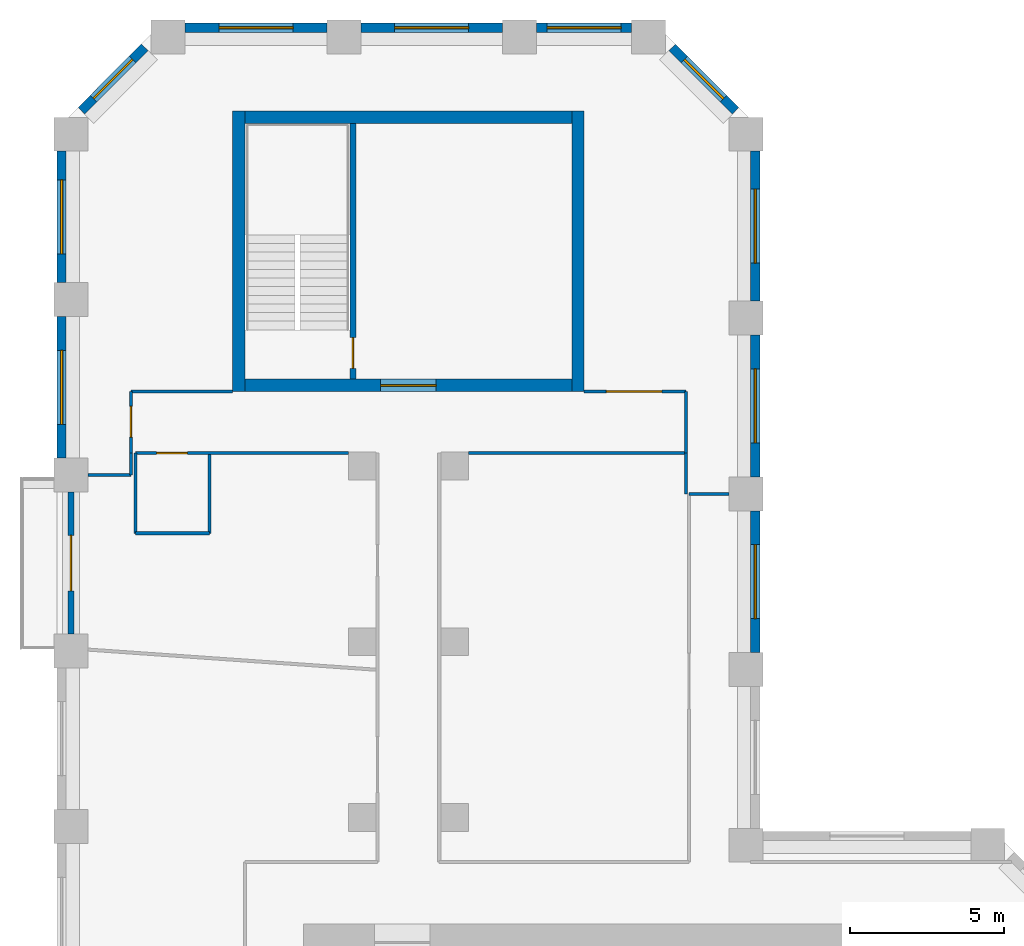
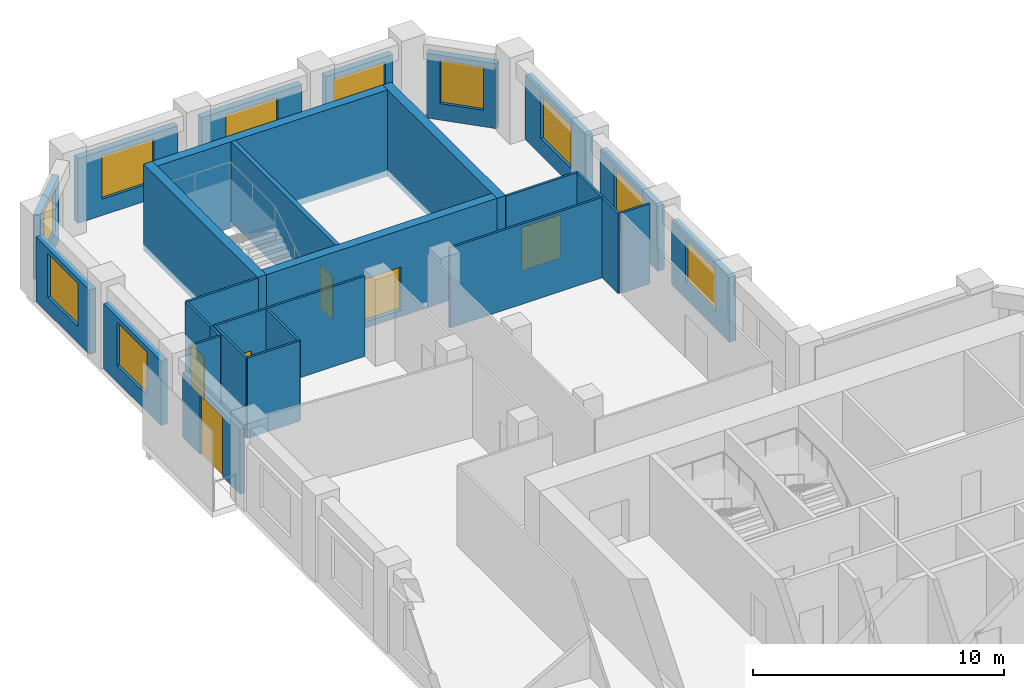
# One storey, part 8 of 10: 29 walls, 10 windows, 6 doors, 16 openings.
"""IFC4 building model written with IfcOpenShell, lengths in metres."""

from ifc_helpers import new_model, si_unit, direction, frame, frame_2d, origin, place, context, subcontext, project, spatial, rectangle, extrude, material, layer, layer_set, type_object, element, fill, save


model = new_model("IFC4")

# Units and contexts
model_context = context("Model", 3, precision=1e-05, world=origin(), true_north=direction((0.0, 1.0)))
body_context = subcontext(model_context, "Body", "Model", "MODEL_VIEW")
ifc_project = project(units=[si_unit("LENGTHUNIT", "METRE"), si_unit("AREAUNIT", "SQUARE_METRE"), si_unit("VOLUMEUNIT", "CUBIC_METRE"), si_unit("PLANEANGLEUNIT", "RADIAN"), si_unit("MASSUNIT", "GRAM", prefix="KILO")], contexts=[model_context])

# Site, building, storey
site_placement = place(None, origin())
site = spatial("IfcSite", under=ifc_project, at=site_placement, CompositionType="ELEMENT")
building_placement = place(site_placement, origin())
building = spatial("IfcBuilding", under=site, at=building_placement, Name="Meshkara Civic Tower", CompositionType="ELEMENT")
storey_placement = place(building_placement, frame((0.0, 0.0, 229.800048828125)))
storey = spatial("IfcBuildingStorey", under=building, at=storey_placement, Name="L52", CompositionType="ELEMENT", Elevation=229.800048828125)

# Wall, opening, door
ifc_material_1 = material(Name="Corridor wall 100")
ifc_layer_1 = layer(ifc_material_1, 0.10009765625)
ifc_layer_set_1 = layer_set([ifc_layer_1], Name="Corridor wall 100")
wall_type_1 = type_object("IfcWallType", Name="Corridor wall 100", PredefinedType="PARTITIONING", material=ifc_layer_set_1)
wall_1_placement = place(storey_placement, frame((2.39990234375, 54.169921875, 0.0), z_axis=(0.0, 0.0, 1.0), x_axis=(0.0, -1.0, 0.0)))
wall_1 = element("IfcWall", 1, at=wall_1_placement, inside=storey, type_object=wall_type_1, Name="L52-W001", PredefinedType="PARTITIONING", context=body_context, shape_type="SweptSolid", body=[
    extrude(rectangle(XDim=2.0, YDim=0.10009765625, at=frame_2d((1.0, 0.0))), origin(), (0.0, 0.0, 1.0), 3.89990234375),
])
opening_1_placement = place(wall_1_placement, frame((0.47998046875, 0.0, 0.0)))
opening_1 = element("IfcOpeningElement", 2, at=opening_1_placement, cuts=wall_1, Name="Opening L52-D016", PredefinedType="OPENING", context=body_context, shape_type="SweptSolid", body=[
    extrude(rectangle(XDim=1.0, YDim=2.10009765625, at=frame_2d((0.5, 1.050048828125))), frame((0.0, 0.06005859375, 0.0), z_axis=(0.0, -1.0, 0.0), x_axis=(1.0, 0.0, 0.0)), (0.0, 0.0, 1.0), 0.1201171875),
])
ifc_material_2 = material(Name="Door 1000 x 2100")
door_type_1 = type_object("IfcDoorType", Name="Door 1000 x 2100", OperationType="SINGLE_SWING_LEFT", PredefinedType="DOOR", material=ifc_material_2)
door_1_placement = place(opening_1_placement, origin())
door_1 = element("IfcDoor", 3, at=door_1_placement, inside=storey, type_object=door_type_1, Name="L52-D016", OperationType="SINGLE_SWING_RIGHT", OverallHeight=2.10009765625, OverallWidth=1.0, PredefinedType="DOOR", context=body_context, shape_type="SweptSolid", body=[
    extrude(rectangle(XDim=1.0, YDim=2.10009765625, at=frame_2d((0.5, 1.050048828125))), frame((0.0, 0.02490234375, 0.0), z_axis=(0.0, -1.0, 0.0), x_axis=(1.0, 0.0, 0.0)), (0.0, 0.0, 1.0), 0.050048828125),
])
fill(opening_1, door_1)

wall_2_placement = place(storey_placement, frame((2.550048828125, 52.169921875, 0.0), z_axis=(0.0, 0.0, 1.0), x_axis=(1.0, 0.0, 0.0)))
wall_2 = element("IfcWall", 4, at=wall_2_placement, inside=storey, type_object=wall_type_1, Name="L52-W002", PredefinedType="PARTITIONING", context=body_context, shape_type="SweptSolid", body=[
    extrude(rectangle(XDim=6.89990234375, YDim=0.10009765625, at=frame_2d((3.449951171875, 0.0))), origin(), (0.0, 0.0, 1.0), 3.89990234375),
])
opening_2_placement = place(wall_2_placement, frame((0.679931640625, 0.0, 0.0)))
opening_2 = element("IfcOpeningElement", 5, at=opening_2_placement, cuts=wall_2, Name="Opening L52-D017", PredefinedType="OPENING", context=body_context, shape_type="SweptSolid", body=[
    extrude(rectangle(XDim=1.0, YDim=2.10009765625, at=frame_2d((0.5, 1.050048828125))), frame((0.0, 0.06005859375, 0.0), z_axis=(0.0, -1.0, 0.0), x_axis=(1.0, 0.0, 0.0)), (0.0, 0.0, 1.0), 0.1201171875),
])
door_2_placement = place(opening_2_placement, origin())
door_2 = element("IfcDoor", 6, at=door_2_placement, inside=storey, type_object=door_type_1, Name="L52-D017", OperationType="SINGLE_SWING_RIGHT", OverallHeight=2.10009765625, OverallWidth=1.0, PredefinedType="DOOR", context=body_context, shape_type="SweptSolid", body=[
    extrude(rectangle(XDim=1.0, YDim=2.10009765625, at=frame_2d((0.5, 1.050048828125))), frame((0.0, 0.02490234375, 0.0), z_axis=(0.0, -1.0, 0.0), x_axis=(1.0, 0.0, 0.0)), (0.0, 0.0, 1.0), 0.050048828125),
])
fill(opening_2, door_2)

# Walls
wall_3_placement = place(storey_placement, frame((5.699951171875, 54.169921875, 0.0), z_axis=(0.0, 0.0, 1.0), x_axis=(-1.0, 0.0, 0.0)))
element("IfcWall", 7, at=wall_3_placement, inside=storey, type_object=wall_type_1, Name="L52-W003", PredefinedType="PARTITIONING", context=body_context, shape_type="SweptSolid", body=[
    extrude(rectangle(XDim=3.300048828125, YDim=0.10009765625, at=frame_2d((1.64990234375, 0.0))), origin(), (0.0, 0.0, 1.0), 3.89990234375),
])
wall_4_placement = place(storey_placement, frame((13.35009765625, 52.169921875, 0.0), z_axis=(0.0, 0.0, 1.0), x_axis=(1.0, 0.0, 0.0)))
element("IfcWall", 8, at=wall_4_placement, inside=storey, type_object=wall_type_1, Name="L52-W015", PredefinedType="PARTITIONING", context=body_context, shape_type="SweptSolid", body=[
    extrude(rectangle(XDim=7.0498046875, YDim=0.10009765625, at=frame_2d((3.52490234375, 0.0))), origin(), (0.0, 0.0, 1.0), 3.89990234375),
])
wall_5_placement = place(storey_placement, frame((20.39990234375, 52.169921875, 0.0), z_axis=(0.0, 0.0, 1.0), x_axis=(0.0, 1.0, 0.0)))
element("IfcWall", 9, at=wall_5_placement, inside=storey, type_object=wall_type_1, Name="L52-W016", PredefinedType="PARTITIONING", context=body_context, shape_type="SweptSolid", body=[
    extrude(rectangle(XDim=2.0, YDim=0.10009765625, at=frame_2d((1.0, 0.0))), origin(), (0.0, 0.0, 1.0), 3.89990234375),
])

# Wall, opening, door
wall_6_placement = place(storey_placement, frame((20.39990234375, 54.169921875, 0.0), z_axis=(0.0, 0.0, 1.0), x_axis=(-1.0, 0.0, 0.0)))
wall_6 = element("IfcWall", 10, at=wall_6_placement, inside=storey, type_object=wall_type_1, Name="L52-W017", PredefinedType="PARTITIONING", context=body_context, shape_type="SweptSolid", body=[
    extrude(rectangle(XDim=3.2998046875, YDim=0.10009765625, at=frame_2d((1.64990234375, 0.0))), origin(), (0.0, 0.0, 1.0), 3.89990234375),
])
opening_3_placement = place(wall_6_placement, frame((0.780029296875, 0.0, 0.0)))
opening_3 = element("IfcOpeningElement", 11, at=opening_3_placement, cuts=wall_6, Name="Opening L52-D019", PredefinedType="OPENING", context=body_context, shape_type="SweptSolid", body=[
    extrude(rectangle(XDim=1.800048828125, YDim=2.10009765625, at=frame_2d((0.89990234375, 1.050048828125))), frame((0.0, 0.06005859375, 0.0), z_axis=(0.0, -1.0, 0.0), x_axis=(1.0, 0.0, 0.0)), (0.0, 0.0, 1.0), 0.1201171875),
])
ifc_material_3 = material(Name="Door pair 1800 x 2100")
door_type_2 = type_object("IfcDoorType", Name="Door pair 1800 x 2100", OperationType="SINGLE_SWING_LEFT", PredefinedType="DOOR", material=ifc_material_3)
door_3_placement = place(opening_3_placement, origin())
door_3 = element("IfcDoor", 12, at=door_3_placement, inside=storey, type_object=door_type_2, Name="L52-D019", OperationType="DOUBLE_DOOR_SINGLE_SWING", OverallHeight=2.10009765625, OverallWidth=1.800048828125, PredefinedType="DOOR", context=body_context, shape_type="SweptSolid", body=[
    extrude(rectangle(XDim=1.800048828125, YDim=2.10009765625, at=frame_2d((0.89990234375, 1.050048828125))), frame((0.0, 0.02490234375, 0.0), z_axis=(0.0, -1.0, 0.0), x_axis=(1.0, 0.0, 0.0)), (0.0, 0.0, 1.0), 0.050048828125),
])
fill(opening_3, door_3)

# Wall
wall_7_placement = place(storey_placement, frame((21.800048828125, 50.85009765625, 0.0), z_axis=(0.0, 0.0, 1.0), x_axis=(-1.0, 0.0, 0.0)))
element("IfcWall", 13, at=wall_7_placement, inside=storey, type_object=wall_type_1, Name="L52-W020", PredefinedType="PARTITIONING", context=body_context, shape_type="SweptSolid", body=[
    extrude(rectangle(XDim=1.300048828125, YDim=0.10009765625, at=frame_2d((0.64990234375, 0.0))), origin(), (0.0, 0.0, 1.0), 3.89990234375),
])

# Wall, opening, window
ifc_material_4 = material(Name="Insulated infill panel with bronze anodised aluminium cladding", Category="aluminium")
ifc_layer_2 = layer(ifc_material_4, 0.300048828125)
ifc_layer_set_2 = layer_set([ifc_layer_2], Name="EXTERNAL INFILL WALL 300")
wall_type_2 = type_object("IfcWallType", Name="EXTERNAL INFILL WALL 300", PredefinedType="SOLIDWALL", material=ifc_layer_set_2)
wall_8_placement = place(storey_placement, frame((22.64990234375, 45.699951171875, 0.0), z_axis=(0.0, 0.0, 1.0), x_axis=(0.0, 1.0, 0.0)))
wall_8 = element("IfcWall", 14, at=wall_8_placement, inside=storey, type_object=wall_type_2, Name="External wall", PredefinedType="SOLIDWALL", context=body_context, shape_type="SweptSolid", body=[
    extrude(rectangle(XDim=4.60009765625, YDim=0.300048828125, at=frame_2d((2.300048828125, 0.0))), origin(), (0.0, 0.0, 1.0), 3.14990234375),
])
opening_4_placement = place(wall_8_placement, frame((1.10009765625, 0.0, 0.800048828125)))
opening_4 = element("IfcOpeningElement", 15, at=opening_4_placement, cuts=wall_8, Name="Opening W7", PredefinedType="OPENING", context=body_context, shape_type="SweptSolid", body=[
    extrude(rectangle(XDim=2.39990234375, YDim=2.10009765625, at=frame_2d((1.199951171875, 1.050048828125))), frame((0.0, 0.159912109375, 0.0), z_axis=(0.0, -1.0, 0.0), x_axis=(1.0, 0.0, 0.0)), (0.0, 0.0, 1.0), 0.320068359375),
])
ifc_material_5 = material(Name="Tinted double glazing", Category="glass")
window_type_1 = type_object("IfcWindowType", Name="WINDOW 2400x2100", PartitioningType="DOUBLE_PANEL_VERTICAL", PredefinedType="WINDOW", material=ifc_material_5)
window_1_placement = place(opening_4_placement, origin())
window_1 = element("IfcWindow", 16, at=window_1_placement, inside=storey, type_object=window_type_1, Name="Window", OverallHeight=2.10009765625, OverallWidth=2.39990234375, PartitioningType="DOUBLE_PANEL_VERTICAL", PredefinedType="WINDOW", context=body_context, shape_type="SweptSolid", body=[
    extrude(rectangle(XDim=2.39990234375, YDim=2.10009765625, at=frame_2d((1.199951171875, 1.050048828125))), frame((0.0, 0.030029296875, 0.0), z_axis=(0.0, -1.0, 0.0), x_axis=(1.0, 0.0, 0.0)), (0.0, 0.0, 1.0), 0.06005859375),
])
fill(opening_4, window_1)

wall_9_placement = place(storey_placement, frame((22.64990234375, 51.39990234375, 0.0), z_axis=(0.0, 0.0, 1.0), x_axis=(0.0, 1.0, 0.0)))
wall_9 = element("IfcWall", 17, at=wall_9_placement, inside=storey, type_object=wall_type_2, Name="External wall", PredefinedType="SOLIDWALL", context=body_context, shape_type="SweptSolid", body=[
    extrude(rectangle(XDim=4.60009765625, YDim=0.300048828125, at=frame_2d((2.300048828125, 0.0))), origin(), (0.0, 0.0, 1.0), 3.14990234375),
])
opening_5_placement = place(wall_9_placement, frame((1.10009765625, 0.0, 0.800048828125)))
opening_5 = element("IfcOpeningElement", 18, at=opening_5_placement, cuts=wall_9, Name="Opening W7", PredefinedType="OPENING", context=body_context, shape_type="SweptSolid", body=[
    extrude(rectangle(XDim=2.39990234375, YDim=2.10009765625, at=frame_2d((1.199951171875, 1.050048828125))), frame((0.0, 0.159912109375, 0.0), z_axis=(0.0, -1.0, 0.0), x_axis=(1.0, 0.0, 0.0)), (0.0, 0.0, 1.0), 0.320068359375),
])
window_2_placement = place(opening_5_placement, origin())
window_2 = element("IfcWindow", 19, at=window_2_placement, inside=storey, type_object=window_type_1, Name="Window", OverallHeight=2.10009765625, OverallWidth=2.39990234375, PartitioningType="DOUBLE_PANEL_VERTICAL", PredefinedType="WINDOW", context=body_context, shape_type="SweptSolid", body=[
    extrude(rectangle(XDim=2.39990234375, YDim=2.10009765625, at=frame_2d((1.199951171875, 1.050048828125))), frame((0.0, 0.030029296875, 0.0), z_axis=(0.0, -1.0, 0.0), x_axis=(1.0, 0.0, 0.0)), (0.0, 0.0, 1.0), 0.06005859375),
])
fill(opening_5, window_2)

wall_10_placement = place(storey_placement, frame((22.64990234375, 57.10009765625, 0.0), z_axis=(0.0, 0.0, 1.0), x_axis=(0.0, 1.0, 0.0)))
wall_10 = element("IfcWall", 20, at=wall_10_placement, inside=storey, type_object=wall_type_2, Name="External wall", PredefinedType="SOLIDWALL", context=body_context, shape_type="SweptSolid", body=[
    extrude(rectangle(XDim=4.864013671875, YDim=0.300048828125, at=frame_2d((2.43212890625, 0.0))), origin(), (0.0, 0.0, 1.0), 3.14990234375),
])
opening_6_placement = place(wall_10_placement, frame((1.23193359375, 0.0, 0.800048828125)))
opening_6 = element("IfcOpeningElement", 21, at=opening_6_placement, cuts=wall_10, Name="Opening W7", PredefinedType="OPENING", context=body_context, shape_type="SweptSolid", body=[
    extrude(rectangle(XDim=2.39990234375, YDim=2.10009765625, at=frame_2d((1.199951171875, 1.050048828125))), frame((0.0, 0.159912109375, 0.0), z_axis=(0.0, -1.0, 0.0), x_axis=(1.0, 0.0, 0.0)), (0.0, 0.0, 1.0), 0.320068359375),
])
window_3_placement = place(opening_6_placement, origin())
window_3 = element("IfcWindow", 22, at=window_3_placement, inside=storey, type_object=window_type_1, Name="Window", OverallHeight=2.10009765625, OverallWidth=2.39990234375, PartitioningType="DOUBLE_PANEL_VERTICAL", PredefinedType="WINDOW", context=body_context, shape_type="SweptSolid", body=[
    extrude(rectangle(XDim=2.39990234375, YDim=2.10009765625, at=frame_2d((1.199951171875, 1.050048828125))), frame((0.0, 0.030029296875, 0.0), z_axis=(0.0, -1.0, 0.0), x_axis=(1.0, 0.0, 0.0)), (0.0, 0.0, 1.0), 0.06005859375),
])
fill(opening_6, window_3)

wall_11_placement = place(storey_placement, frame((22.011962890625, 63.27587890625, 0.0), z_axis=(0.0, 0.0, 1.0), x_axis=(-0.707064797706, 0.707148762175, 0.0)))
wall_11 = element("IfcWall", 23, at=wall_11_placement, inside=storey, type_object=wall_type_2, Name="External wall", PredefinedType="SOLIDWALL", context=body_context, shape_type="SweptSolid", body=[
    extrude(rectangle(XDim=2.90771484375, YDim=0.300048828125, at=frame_2d((1.453857421875, 0.0))), origin(), (0.0, 0.0, 1.0), 3.14990234375),
])
opening_7_placement = place(wall_11_placement, frame((0.553955078125, 0.0, 0.800048828125)))
opening_7 = element("IfcOpeningElement", 24, at=opening_7_placement, cuts=wall_11, Name="Opening W9", PredefinedType="OPENING", context=body_context, shape_type="SweptSolid", body=[
    extrude(rectangle(XDim=1.800048828125, YDim=2.10009765625, at=frame_2d((0.89990234375, 1.050048828125))), frame((0.0, 0.159912109375, 0.0), z_axis=(0.0, -1.0, 0.0), x_axis=(1.0, 0.0, 0.0)), (0.0, 0.0, 1.0), 0.320068359375),
])
ifc_material_6 = material(Name="Tinted double glazing", Category="glass")
window_type_2 = type_object("IfcWindowType", Name="WINDOW 1800x2100", PartitioningType="DOUBLE_PANEL_VERTICAL", PredefinedType="WINDOW", material=ifc_material_6)
window_4_placement = place(opening_7_placement, origin())
window_4 = element("IfcWindow", 25, at=window_4_placement, inside=storey, type_object=window_type_2, Name="Window", OverallHeight=2.10009765625, OverallWidth=1.800048828125, PartitioningType="DOUBLE_PANEL_VERTICAL", PredefinedType="WINDOW", context=body_context, shape_type="SweptSolid", body=[
    extrude(rectangle(XDim=1.800048828125, YDim=2.10009765625, at=frame_2d((0.89990234375, 1.050048828125))), frame((0.0, 0.030029296875, 0.0), z_axis=(0.0, -1.0, 0.0), x_axis=(1.0, 0.0, 0.0)), (0.0, 0.0, 1.0), 0.06005859375),
])
fill(opening_7, window_4)

wall_12_placement = place(storey_placement, frame((18.64404296875, 65.969970703125, 0.0), z_axis=(0.0, 0.0, 1.0), x_axis=(-1.0, 0.0, 0.0)))
wall_12 = element("IfcWall", 26, at=wall_12_placement, inside=storey, type_object=wall_type_2, Name="External wall", PredefinedType="SOLIDWALL", context=body_context, shape_type="SweptSolid", body=[
    extrude(rectangle(XDim=3.088134765625, YDim=0.300048828125, at=frame_2d((1.5439453125, 0.0))), origin(), (0.0, 0.0, 1.0), 3.14990234375),
])
opening_8_placement = place(wall_12_placement, frame((0.343994140625, 0.0, 0.800048828125)))
opening_8 = element("IfcOpeningElement", 27, at=opening_8_placement, cuts=wall_12, Name="Opening W7", PredefinedType="OPENING", context=body_context, shape_type="SweptSolid", body=[
    extrude(rectangle(XDim=2.39990234375, YDim=2.10009765625, at=frame_2d((1.199951171875, 1.050048828125))), frame((0.0, 0.159912109375, 0.0), z_axis=(0.0, -1.0, 0.0), x_axis=(1.0, 0.0, 0.0)), (0.0, 0.0, 1.0), 0.320068359375),
])
window_5_placement = place(opening_8_placement, origin())
window_5 = element("IfcWindow", 28, at=window_5_placement, inside=storey, type_object=window_type_1, Name="Window", OverallHeight=2.10009765625, OverallWidth=2.39990234375, PartitioningType="DOUBLE_PANEL_VERTICAL", PredefinedType="WINDOW", context=body_context, shape_type="SweptSolid", body=[
    extrude(rectangle(XDim=2.39990234375, YDim=2.10009765625, at=frame_2d((1.199951171875, 1.050048828125))), frame((0.0, 0.030029296875, 0.0), z_axis=(0.0, -1.0, 0.0), x_axis=(1.0, 0.0, 0.0)), (0.0, 0.0, 1.0), 0.06005859375),
])
fill(opening_8, window_5)

wall_13_placement = place(storey_placement, frame((14.4560546875, 65.969970703125, 0.0), z_axis=(0.0, 0.0, 1.0), x_axis=(-1.0, 0.0, 0.0)))
wall_13 = element("IfcWall", 29, at=wall_13_placement, inside=storey, type_object=wall_type_2, Name="External wall", PredefinedType="SOLIDWALL", context=body_context, shape_type="SweptSolid", body=[
    extrude(rectangle(XDim=4.60009765625, YDim=0.300048828125, at=frame_2d((2.300048828125, 0.0))), origin(), (0.0, 0.0, 1.0), 3.14990234375),
])
opening_9_placement = place(wall_13_placement, frame((1.10009765625, 0.0, 0.800048828125)))
opening_9 = element("IfcOpeningElement", 30, at=opening_9_placement, cuts=wall_13, Name="Opening W7", PredefinedType="OPENING", context=body_context, shape_type="SweptSolid", body=[
    extrude(rectangle(XDim=2.39990234375, YDim=2.10009765625, at=frame_2d((1.199951171875, 1.050048828125))), frame((0.0, 0.159912109375, 0.0), z_axis=(0.0, -1.0, 0.0), x_axis=(1.0, 0.0, 0.0)), (0.0, 0.0, 1.0), 0.320068359375),
])
window_6_placement = place(opening_9_placement, origin())
window_6 = element("IfcWindow", 31, at=window_6_placement, inside=storey, type_object=window_type_1, Name="Window", OverallHeight=2.10009765625, OverallWidth=2.39990234375, PartitioningType="DOUBLE_PANEL_VERTICAL", PredefinedType="WINDOW", context=body_context, shape_type="SweptSolid", body=[
    extrude(rectangle(XDim=2.39990234375, YDim=2.10009765625, at=frame_2d((1.199951171875, 1.050048828125))), frame((0.0, 0.030029296875, 0.0), z_axis=(0.0, -1.0, 0.0), x_axis=(1.0, 0.0, 0.0)), (0.0, 0.0, 1.0), 0.06005859375),
])
fill(opening_9, window_6)

wall_14_placement = place(storey_placement, frame((8.756103515625, 65.969970703125, 0.0), z_axis=(0.0, 0.0, 1.0), x_axis=(-1.0, 0.0, 0.0)))
wall_14 = element("IfcWall", 32, at=wall_14_placement, inside=storey, type_object=wall_type_2, Name="External wall", PredefinedType="SOLIDWALL", context=body_context, shape_type="SweptSolid", body=[
    extrude(rectangle(XDim=4.60009765625, YDim=0.300048828125, at=frame_2d((2.300048828125, 0.0))), origin(), (0.0, 0.0, 1.0), 3.14990234375),
])
opening_10_placement = place(wall_14_placement, frame((1.10009765625, 0.0, 0.800048828125)))
opening_10 = element("IfcOpeningElement", 33, at=opening_10_placement, cuts=wall_14, Name="Opening W7", PredefinedType="OPENING", context=body_context, shape_type="SweptSolid", body=[
    extrude(rectangle(XDim=2.39990234375, YDim=2.10009765625, at=frame_2d((1.199951171875, 1.050048828125))), frame((0.0, 0.159912109375, 0.0), z_axis=(0.0, -1.0, 0.0), x_axis=(1.0, 0.0, 0.0)), (0.0, 0.0, 1.0), 0.320068359375),
])
window_7_placement = place(opening_10_placement, origin())
window_7 = element("IfcWindow", 34, at=window_7_placement, inside=storey, type_object=window_type_1, Name="Window", OverallHeight=2.10009765625, OverallWidth=2.39990234375, PartitioningType="DOUBLE_PANEL_VERTICAL", PredefinedType="WINDOW", context=body_context, shape_type="SweptSolid", body=[
    extrude(rectangle(XDim=2.39990234375, YDim=2.10009765625, at=frame_2d((1.199951171875, 1.050048828125))), frame((0.0, 0.030029296875, 0.0), z_axis=(0.0, -1.0, 0.0), x_axis=(1.0, 0.0, 0.0)), (0.0, 0.0, 1.0), 0.06005859375),
])
fill(opening_10, window_7)

wall_15_placement = place(storey_placement, frame((2.843994140625, 65.33203125, 0.0), z_axis=(0.0, 0.0, 1.0), x_axis=(-0.707064797706, -0.707148762175, 0.0)))
wall_15 = element("IfcWall", 35, at=wall_15_placement, inside=storey, type_object=wall_type_2, Name="External wall", PredefinedType="SOLIDWALL", context=body_context, shape_type="SweptSolid", body=[
    extrude(rectangle(XDim=2.90771484375, YDim=0.300048828125, at=frame_2d((1.453857421875, 0.0))), origin(), (0.0, 0.0, 1.0), 3.14990234375),
])
opening_11_placement = place(wall_15_placement, frame((0.553955078125, 0.0, 0.800048828125)))
opening_11 = element("IfcOpeningElement", 36, at=opening_11_placement, cuts=wall_15, Name="Opening W9", PredefinedType="OPENING", context=body_context, shape_type="SweptSolid", body=[
    extrude(rectangle(XDim=1.800048828125, YDim=2.10009765625, at=frame_2d((0.89990234375, 1.050048828125))), frame((0.0, 0.159912109375, 0.0), z_axis=(0.0, -1.0, 0.0), x_axis=(1.0, 0.0, 0.0)), (0.0, 0.0, 1.0), 0.320068359375),
])
window_8_placement = place(opening_11_placement, origin())
window_8 = element("IfcWindow", 37, at=window_8_placement, inside=storey, type_object=window_type_2, Name="Window", OverallHeight=2.10009765625, OverallWidth=1.800048828125, PartitioningType="DOUBLE_PANEL_VERTICAL", PredefinedType="WINDOW", context=body_context, shape_type="SweptSolid", body=[
    extrude(rectangle(XDim=1.800048828125, YDim=2.10009765625, at=frame_2d((0.89990234375, 1.050048828125))), frame((0.0, 0.030029296875, 0.0), z_axis=(0.0, -1.0, 0.0), x_axis=(1.0, 0.0, 0.0)), (0.0, 0.0, 1.0), 0.06005859375),
])
fill(opening_11, window_8)

wall_16_placement = place(storey_placement, frame((0.14990234375, 61.964111328125, 0.0), z_axis=(0.0, 0.0, 1.0), x_axis=(0.0, -1.0, 0.0)))
wall_16 = element("IfcWall", 38, at=wall_16_placement, inside=storey, type_object=wall_type_2, Name="External wall", PredefinedType="SOLIDWALL", context=body_context, shape_type="SweptSolid", body=[
    extrude(rectangle(XDim=4.259033203125, YDim=0.300048828125, at=frame_2d((2.12939453125, 0.0))), origin(), (0.0, 0.0, 1.0), 3.14990234375),
])
opening_12_placement = place(wall_16_placement, frame((0.929931640625, 0.0, 0.800048828125)))
opening_12 = element("IfcOpeningElement", 39, at=opening_12_placement, cuts=wall_16, Name="Opening W7", PredefinedType="OPENING", context=body_context, shape_type="SweptSolid", body=[
    extrude(rectangle(XDim=2.39990234375, YDim=2.10009765625, at=frame_2d((1.199951171875, 1.050048828125))), frame((0.0, 0.159912109375, 0.0), z_axis=(0.0, -1.0, 0.0), x_axis=(1.0, 0.0, 0.0)), (0.0, 0.0, 1.0), 0.320068359375),
])
window_9_placement = place(opening_12_placement, origin())
window_9 = element("IfcWindow", 40, at=window_9_placement, inside=storey, type_object=window_type_1, Name="Window", OverallHeight=2.10009765625, OverallWidth=2.39990234375, PartitioningType="DOUBLE_PANEL_VERTICAL", PredefinedType="WINDOW", context=body_context, shape_type="SweptSolid", body=[
    extrude(rectangle(XDim=2.39990234375, YDim=2.10009765625, at=frame_2d((1.199951171875, 1.050048828125))), frame((0.0, 0.030029296875, 0.0), z_axis=(0.0, -1.0, 0.0), x_axis=(1.0, 0.0, 0.0)), (0.0, 0.0, 1.0), 0.06005859375),
])
fill(opening_12, window_9)

wall_17_placement = place(storey_placement, frame((0.14990234375, 56.60498046875, 0.0), z_axis=(0.0, 0.0, 1.0), x_axis=(0.0, -1.0, 0.0)))
wall_17 = element("IfcWall", 41, at=wall_17_placement, inside=storey, type_object=wall_type_2, Name="External wall", PredefinedType="SOLIDWALL", context=body_context, shape_type="SweptSolid", body=[
    extrude(rectangle(XDim=4.60009765625, YDim=0.300048828125, at=frame_2d((2.300048828125, 0.0))), origin(), (0.0, 0.0, 1.0), 3.14990234375),
])
opening_13_placement = place(wall_17_placement, frame((1.10009765625, 0.0, 0.800048828125)))
opening_13 = element("IfcOpeningElement", 42, at=opening_13_placement, cuts=wall_17, Name="Opening W7", PredefinedType="OPENING", context=body_context, shape_type="SweptSolid", body=[
    extrude(rectangle(XDim=2.39990234375, YDim=2.10009765625, at=frame_2d((1.199951171875, 1.050048828125))), frame((0.0, 0.159912109375, 0.0), z_axis=(0.0, -1.0, 0.0), x_axis=(1.0, 0.0, 0.0)), (0.0, 0.0, 1.0), 0.320068359375),
])
window_10_placement = place(opening_13_placement, origin())
window_10 = element("IfcWindow", 43, at=window_10_placement, inside=storey, type_object=window_type_1, Name="Window", OverallHeight=2.10009765625, OverallWidth=2.39990234375, PartitioningType="DOUBLE_PANEL_VERTICAL", PredefinedType="WINDOW", context=body_context, shape_type="SweptSolid", body=[
    extrude(rectangle(XDim=2.39990234375, YDim=2.10009765625, at=frame_2d((1.199951171875, 1.050048828125))), frame((0.0, 0.030029296875, 0.0), z_axis=(0.0, -1.0, 0.0), x_axis=(1.0, 0.0, 0.0)), (0.0, 0.0, 1.0), 0.06005859375),
])
fill(opening_13, window_10)

# Walls
ifc_material_7 = material(Name="Concrete C60", Category="concrete")
ifc_layer_3 = layer(ifc_material_7, 0.39990234375)
ifc_layer_set_3 = layer_set([ifc_layer_3], Name="End core ring wall 400 C60")
wall_type_3 = type_object("IfcWallType", Name="End core ring wall 400 C60", PredefinedType="SHEAR", material=ifc_layer_set_3)
for number, where, z_axis, x_axis, name in (
    (44, (5.89990234375, 54.169921875, -0.300048828125), (0.0, 0.0, 1.0), (0.0, 1.0, 0.0), "L52-C023"),
    (45, (16.89990234375, 54.169921875, -0.300048828125), (0.0, 0.0, 1.0), (0.0, 1.0, 0.0), "L52-C024"),
):
    element("IfcWall", number, at=place(storey_placement, frame(where, z_axis=z_axis, x_axis=x_axis)), inside=storey, type_object=wall_type_3, Name=name, PredefinedType="SHEAR", context=body_context, shape_type="SweptSolid", body=[
        extrude(rectangle(XDim=9.10009765625, YDim=0.39990234375, at=frame_2d((4.550048828125, 0.0))), origin(), (0.0, 0.0, 1.0), 4.199951171875),
    ])

# Wall, opening, door
wall_18_placement = place(storey_placement, frame((6.10009765625, 54.3701171875, -0.300048828125), z_axis=(0.0, 0.0, 1.0), x_axis=(1.0, 0.0, 0.0)))
wall_18 = element("IfcWall", 46, at=wall_18_placement, inside=storey, type_object=wall_type_3, Name="L52-C025", PredefinedType="SHEAR", context=body_context, shape_type="SweptSolid", body=[
    extrude(rectangle(XDim=10.599853515625, YDim=0.39990234375, at=frame_2d((5.2998046875, 0.0))), origin(), (0.0, 0.0, 1.0), 4.199951171875),
])
opening_14_placement = place(wall_18_placement, frame((4.39990234375, 0.0, 0.300048828125)))
opening_14 = element("IfcOpeningElement", 47, at=opening_14_placement, cuts=wall_18, Name="Opening L52-K102", PredefinedType="OPENING", context=body_context, shape_type="SweptSolid", body=[
    extrude(rectangle(XDim=1.800048828125, YDim=2.10009765625, at=frame_2d((0.89990234375, 1.050048828125))), frame((0.0, 0.2099609375, 0.0), z_axis=(0.0, -1.0, 0.0), x_axis=(1.0, 0.0, 0.0)), (0.0, 0.0, 1.0), 0.419921875),
])
ifc_material_8 = material(Name="Fire-rated door leaf in steel frame", Category="steel")
door_type_3 = type_object("IfcDoorType", Name="Core double door 1800 EI 60", OperationType="DOUBLE_DOOR_SINGLE_SWING", PredefinedType="DOOR", material=ifc_material_8)
door_4_placement = place(opening_14_placement, origin())
door_4 = element("IfcDoor", 48, at=door_4_placement, inside=storey, type_object=door_type_3, Name="L52-K102", OperationType="DOUBLE_DOOR_SINGLE_SWING", OverallHeight=2.10009765625, OverallWidth=1.800048828125, PredefinedType="DOOR", context=body_context, shape_type="SweptSolid", body=[
    extrude(rectangle(XDim=1.800048828125, YDim=2.10009765625, at=frame_2d((0.89990234375, 1.050048828125))), frame((0.0, 0.02490234375, 0.0), z_axis=(0.0, -1.0, 0.0), x_axis=(1.0, 0.0, 0.0)), (0.0, 0.0, 1.0), 0.050048828125),
])
fill(opening_14, door_4)

# Wall
wall_19_placement = place(storey_placement, frame((6.10009765625, 63.070068359375, -0.300048828125), z_axis=(0.0, 0.0, 1.0), x_axis=(1.0, 0.0, 0.0)))
element("IfcWall", 49, at=wall_19_placement, inside=storey, type_object=wall_type_3, Name="L52-C026", PredefinedType="SHEAR", context=body_context, shape_type="SweptSolid", body=[
    extrude(rectangle(XDim=10.599853515625, YDim=0.39990234375, at=frame_2d((5.2998046875, 0.0))), origin(), (0.0, 0.0, 1.0), 4.199951171875),
])

# Wall, opening, door
ifc_material_9 = material(Name="Insulated infill panel with bronze anodised aluminium cladding", Category="aluminium")
ifc_layer_4 = layer(ifc_material_9, 0.199951171875)
ifc_layer_set_4 = layer_set([ifc_layer_4], Name="LOGGIA BACK WALL 200")
wall_type_4 = type_object("IfcWallType", Name="LOGGIA BACK WALL 200", PredefinedType="SOLIDWALL", material=ifc_layer_set_4)
wall_20_placement = place(storey_placement, frame((0.449951171875, 50.904052734375, 0.0), z_axis=(0.0, 0.0, 1.0), x_axis=(0.0, -1.0, 0.0)))
wall_20 = element("IfcWall", 50, at=wall_20_placement, inside=storey, type_object=wall_type_4, Name="Loggia wall", PredefinedType="SOLIDWALL", context=body_context, shape_type="SweptSolid", body=[
    extrude(rectangle(XDim=4.59912109375, YDim=0.199951171875, at=frame_2d((2.299560546875, 0.0))), origin(), (0.0, 0.0, 1.0), 3.14990234375),
])
opening_15_placement = place(wall_20_placement, frame((1.39892578125, 0.0, 0.0)))
opening_15 = element("IfcOpeningElement", 51, at=opening_15_placement, cuts=wall_20, Name="Opening L52-L001", PredefinedType="OPENING", context=body_context, shape_type="SweptSolid", body=[
    extrude(rectangle(XDim=1.800048828125, YDim=2.89990234375, at=frame_2d((0.89990234375, 1.449951171875))), frame((0.0, 0.10986328125, 0.0), z_axis=(0.0, -1.0, 0.0), x_axis=(1.0, 0.0, 0.0)), (0.0, 0.0, 1.0), 0.219970703125),
])
ifc_material_10 = material(Name="Tinted double glazing", Category="glass")
door_type_4 = type_object("IfcDoorType", Name="LOGGIA DOOR 1800x2900", OperationType="DOUBLE_DOOR_SINGLE_SWING", PredefinedType="DOOR", material=ifc_material_10)
door_5_placement = place(opening_15_placement, origin())
door_5 = element("IfcDoor", 52, at=door_5_placement, inside=storey, type_object=door_type_4, Name="L52-L001", OperationType="DOUBLE_DOOR_SINGLE_SWING", OverallHeight=2.89990234375, OverallWidth=1.800048828125, PredefinedType="DOOR", context=body_context, shape_type="SweptSolid", body=[
    extrude(rectangle(XDim=1.800048828125, YDim=2.89990234375, at=frame_2d((0.89990234375, 1.449951171875))), frame((0.0, 0.02490234375, 0.0), z_axis=(0.0, -1.0, 0.0), x_axis=(1.0, 0.0, 0.0)), (0.0, 0.0, 1.0), 0.050048828125),
])
fill(opening_15, door_5)

# Walls
ifc_material_11 = material(Name="Partition 100")
ifc_layer_5 = layer(ifc_material_11, 0.10009765625)
ifc_layer_set_5 = layer_set([ifc_layer_5], Name="Partition 100")
wall_type_5 = type_object("IfcWallType", Name="Partition 100", PredefinedType="PARTITIONING", material=ifc_layer_set_5)
wall_21_placement = place(storey_placement, frame((2.39990234375, 51.455078125, 0.0), z_axis=(0.0, 0.0, 1.0), x_axis=(-1.0, 0.0, 0.0)))
element("IfcWall", 53, at=wall_21_placement, inside=storey, type_object=wall_type_5, Name="L52-W039", PredefinedType="PARTITIONING", context=body_context, shape_type="SweptSolid", body=[
    extrude(rectangle(XDim=1.39990234375, YDim=0.10009765625, at=frame_2d((0.699951171875, 0.0))), origin(), (0.0, 0.0, 1.0), 3.89990234375),
])
wall_22_placement = place(storey_placement, frame((2.39990234375, 52.174072265625, 0.0), z_axis=(0.0, 0.0, 1.0), x_axis=(0.0, -1.0, 0.0)))
element("IfcWall", 54, at=wall_22_placement, inside=storey, type_object=wall_type_5, Name="L52-W040", PredefinedType="PARTITIONING", context=body_context, shape_type="SweptSolid", body=[
    extrude(rectangle(XDim=0.718994140625, YDim=0.10009765625, at=frame_2d((0.359375, 0.0))), origin(), (0.0, 0.0, 1.0), 3.89990234375),
])
wall_23_placement = place(storey_placement, frame((2.550048828125, 49.570068359375, 0.0), z_axis=(0.0, 0.0, 1.0), x_axis=(0.0, 1.0, 0.0)))
element("IfcWall", 55, at=wall_23_placement, inside=storey, type_object=wall_type_5, Name="L52-W041", PredefinedType="PARTITIONING", context=body_context, shape_type="SweptSolid", body=[
    extrude(rectangle(XDim=2.599853515625, YDim=0.10009765625, at=frame_2d((1.2998046875, 0.0))), origin(), (0.0, 0.0, 1.0), 3.89990234375),
])
wall_24_placement = place(storey_placement, frame((4.949951171875, 49.570068359375, 0.0), z_axis=(0.0, 0.0, 1.0), x_axis=(-1.0, 0.0, 0.0)))
element("IfcWall", 56, at=wall_24_placement, inside=storey, type_object=wall_type_5, Name="L52-W042", PredefinedType="PARTITIONING", context=body_context, shape_type="SweptSolid", body=[
    extrude(rectangle(XDim=2.39990234375, YDim=0.10009765625, at=frame_2d((1.199951171875, 0.0))), origin(), (0.0, 0.0, 1.0), 3.89990234375),
])
wall_25_placement = place(storey_placement, frame((4.949951171875, 52.1201171875, 0.0), z_axis=(0.0, 0.0, 1.0), x_axis=(0.0, -1.0, 0.0)))
element("IfcWall", 57, at=wall_25_placement, inside=storey, type_object=wall_type_5, Name="L52-W043", PredefinedType="PARTITIONING", context=body_context, shape_type="SweptSolid", body=[
    extrude(rectangle(XDim=2.550048828125, YDim=0.10009765625, at=frame_2d((1.27490234375, 0.0))), origin(), (0.0, 0.0, 1.0), 3.89990234375),
])
wall_26_placement = place(storey_placement, frame((20.39990234375, 50.85009765625, 0.0), z_axis=(0.0, 0.0, 1.0), x_axis=(0.0, 1.0, 0.0)))
element("IfcWall", 58, at=wall_26_placement, inside=storey, type_object=wall_type_5, Name="L52-W048", PredefinedType="PARTITIONING", context=body_context, shape_type="SweptSolid", body=[
    extrude(rectangle(XDim=1.323974609375, YDim=0.10009765625, at=frame_2d((0.662109375, 0.0))), origin(), (0.0, 0.0, 1.0), 3.89990234375),
])

# Wall, opening, door
ifc_material_12 = material(Name="Concrete C40/50", Category="concrete")
ifc_layer_6 = layer(ifc_material_12, 0.199951171875)
ifc_layer_set_6 = layer_set([ifc_layer_6], Name="Stair enclosure wall 200 C40/50")
wall_type_6 = type_object("IfcWallType", Name="Stair enclosure wall 200 C40/50", PredefinedType="SOLIDWALL", material=ifc_layer_set_6)
wall_27_placement = place(storey_placement, frame((9.60009765625, 54.570068359375, 0.0), z_axis=(0.0, 0.0, 1.0), x_axis=(0.0, 1.0, 0.0)))
wall_27 = element("IfcWall", 59, at=wall_27_placement, inside=storey, type_object=wall_type_6, Name="L52-C027", PredefinedType="SOLIDWALL", context=body_context, shape_type="SweptSolid", body=[
    extrude(rectangle(XDim=8.300048828125, YDim=0.199951171875, at=frame_2d((4.14990234375, 0.0))), origin(), (0.0, 0.0, 1.0), 3.89990234375),
])
opening_16_placement = place(wall_27_placement, frame((0.35009765625, 0.0, 0.0)))
opening_16 = element("IfcOpeningElement", 60, at=opening_16_placement, cuts=wall_27, Name="Opening L52-K101", PredefinedType="OPENING", context=body_context, shape_type="SweptSolid", body=[
    extrude(rectangle(XDim=1.0, YDim=2.10009765625, at=frame_2d((0.5, 1.050048828125))), frame((0.0, 0.10986328125, 0.0), z_axis=(0.0, -1.0, 0.0), x_axis=(1.0, 0.0, 0.0)), (0.0, 0.0, 1.0), 0.219970703125),
])
ifc_material_13 = material(Name="Fire-rated door leaf in steel frame", Category="steel")
door_type_5 = type_object("IfcDoorType", Name="Stair door 1000 EI 120", OperationType="SINGLE_SWING_LEFT", PredefinedType="DOOR", material=ifc_material_13)
door_6_placement = place(opening_16_placement, origin())
door_6 = element("IfcDoor", 61, at=door_6_placement, inside=storey, type_object=door_type_5, Name="L52-K101", OperationType="SINGLE_SWING_RIGHT", OverallHeight=2.10009765625, OverallWidth=1.0, PredefinedType="DOOR", context=body_context, shape_type="SweptSolid", body=[
    extrude(rectangle(XDim=1.0, YDim=2.10009765625, at=frame_2d((0.5, 1.050048828125))), frame((0.0, 0.02490234375, 0.0), z_axis=(0.0, -1.0, 0.0), x_axis=(1.0, 0.0, 0.0)), (0.0, 0.0, 1.0), 0.050048828125),
])
fill(opening_16, door_6)

save(model, "model.ifc")
